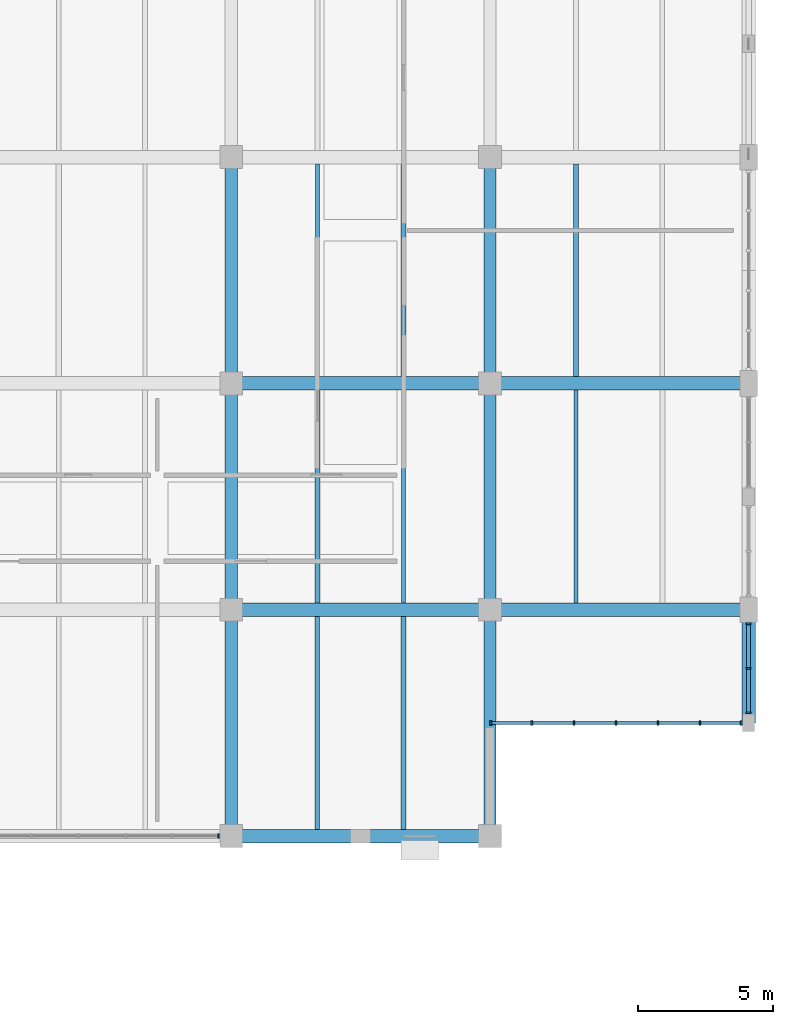
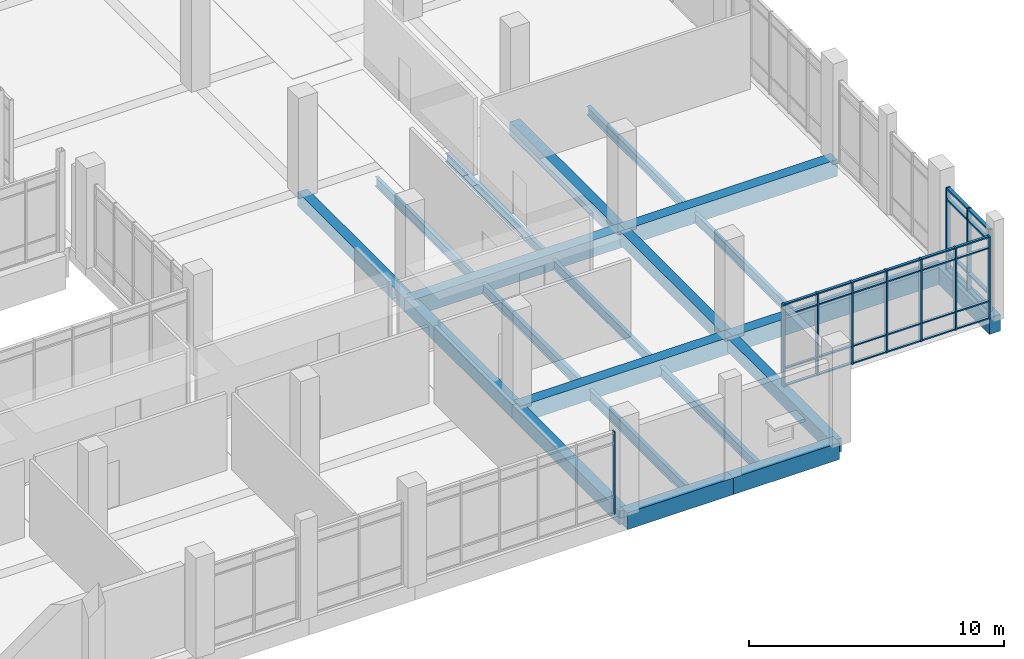
# One storey, part 62 of 152: 43 members, 21 beams, 3 elements without a shape of their own.
"""IFC4 building model written with IfcOpenShell, lengths in metres."""

from ifc_helpers import new_model, si_unit, direction, frame, origin, origin_2d, place, context, subcontext, project, spatial, rectangle, i_section, extrude, material, material_profile, profile_set, type_object, element, aggregate, save


model = new_model("IFC4")

# Units and contexts
model_context = context("Model", 3, precision=1e-05, world=origin(), true_north=direction((0.0, 1.0)))
body_context = subcontext(model_context, "Body", "Model", "MODEL_VIEW")
ifc_project = project(units=[si_unit("LENGTHUNIT", "METRE"), si_unit("AREAUNIT", "SQUARE_METRE"), si_unit("VOLUMEUNIT", "CUBIC_METRE"), si_unit("PLANEANGLEUNIT", "RADIAN"), si_unit("MASSUNIT", "GRAM", prefix="KILO")], contexts=[model_context])

# Site, building, storey
site_placement = place(None, origin())
site = spatial("IfcSite", under=ifc_project, at=site_placement, CompositionType="ELEMENT")
building_placement = place(site_placement, origin())
building = spatial("IfcBuilding", under=site, at=building_placement, Name="Oolite Switchyard Hospital", CompositionType="ELEMENT")
storey_placement = place(building_placement, frame((0.0, 0.0, 5.10009765625)))
storey = spatial("IfcBuildingStorey", under=building, at=storey_placement, Name="L01", CompositionType="ELEMENT", Elevation=5.10009765625)

# Beams
ifc_material_1 = material(Name="Concrete C40/50", Category="concrete")
ifc_material_profile_1 = material_profile(ifc_material_1, rectangle(XDim=0.449951171875, YDim=0.64990234375, at=origin_2d()), Name="RCB450X650")
ifc_profile_set_1 = profile_set([ifc_material_profile_1], Name="Concrete C40/50")
beam_type_1 = type_object("IfcBeamType", Name="BM-RC450X650", PredefinedType="BEAM", material=ifc_profile_set_1)
beam_1_placement = place(storey_placement, frame((192.0, 8.39990234375, -0.3251953125), z_axis=(0.0, 1.0, 0.0), x_axis=(-1.0, 0.0, 0.0)))
element("IfcBeam", 1, at=beam_1_placement, inside=storey, type_object=beam_type_1, Name="L01 Y-Girder 523", PredefinedType="BEAM", context=body_context, shape_type="SweptSolid", body=[
    extrude(rectangle(XDim=0.449951171875, YDim=0.64990234375, at=origin_2d()), origin(), (0.0, 0.0, 1.0), 8.400146484375),
])
beam_2_placement = place(storey_placement, frame((192.0, 16.800048828125, -0.3251953125), z_axis=(0.0, 1.0, 0.0), x_axis=(-1.0, 0.0, 0.0)))
element("IfcBeam", 2, at=beam_2_placement, inside=storey, type_object=beam_type_1, Name="L01 Y-Girder 524", PredefinedType="BEAM", context=body_context, shape_type="SweptSolid", body=[
    extrude(rectangle(XDim=0.449951171875, YDim=0.64990234375, at=origin_2d()), origin(), (0.0, 0.0, 1.0), 8.39990234375),
])
for number, where, z_axis, x_axis, name in (
    (3, (192.0, 25.199951171875, -0.3251953125), (0.0, 1.0, 0.0), (-1.0, 0.0, 0.0), "L01 Y-Girder 525"),
    (4, (201.60009765625, 8.39990234375, -0.3251953125), (0.0, 1.0, 0.0), (-1.0, 0.0, 0.0), "L01 Y-Girder 535"),
):
    element("IfcBeam", number, at=place(storey_placement, frame(where, z_axis=z_axis, x_axis=x_axis)), inside=storey, type_object=beam_type_1, Name=name, PredefinedType="BEAM", context=body_context, shape_type="SweptSolid", body=[
        extrude(rectangle(XDim=0.449951171875, YDim=0.64990234375, at=origin_2d()), origin(), (0.0, 0.0, 1.0), 8.400146484375),
    ])
beam_3_placement = place(storey_placement, frame((201.60009765625, 16.800048828125, -0.3251953125), z_axis=(0.0, 1.0, 0.0), x_axis=(-1.0, 0.0, 0.0)))
element("IfcBeam", 5, at=beam_3_placement, inside=storey, type_object=beam_type_1, Name="L01 Y-Girder 536", PredefinedType="BEAM", context=body_context, shape_type="SweptSolid", body=[
    extrude(rectangle(XDim=0.449951171875, YDim=0.64990234375, at=origin_2d()), origin(), (0.0, 0.0, 1.0), 8.39990234375),
])
beam_4_placement = place(storey_placement, frame((201.60009765625, 25.199951171875, -0.3251953125), z_axis=(0.0, 1.0, 0.0), x_axis=(-1.0, 0.0, 0.0)))
element("IfcBeam", 6, at=beam_4_placement, inside=storey, type_object=beam_type_1, Name="L01 Y-Girder 537", PredefinedType="BEAM", context=body_context, shape_type="SweptSolid", body=[
    extrude(rectangle(XDim=0.449951171875, YDim=0.64990234375, at=origin_2d()), origin(), (0.0, 0.0, 1.0), 8.400146484375),
])
ifc_material_profile_2 = material_profile(ifc_material_1, rectangle(XDim=0.5, YDim=0.800048828125, at=origin_2d()), Name="RCB500X800")
ifc_profile_set_2 = profile_set([ifc_material_profile_2], Name="Concrete C40/50")
beam_type_2 = type_object("IfcBeamType", Name="BM-RC500X800", PredefinedType="BEAM", material=ifc_profile_set_2)
for number, where, z_axis, x_axis, name in (
    (7, (192.0, 8.39990234375, -0.400146484375), (1.0, 0.0, 0.0), (0.0, 1.0, 0.0), "L01 X-Girder 24"),
    (8, (196.800048828125, 8.39990234375, -0.400146484375), (1.0, 0.0, 0.0), (0.0, 1.0, 0.0), "L01 X-Girder 25"),
):
    element("IfcBeam", number, at=place(storey_placement, frame(where, z_axis=z_axis, x_axis=x_axis)), inside=storey, type_object=beam_type_2, Name=name, PredefinedType="BEAM", context=body_context, shape_type="SweptSolid", body=[
        extrude(rectangle(XDim=0.5, YDim=0.800048828125, at=origin_2d()), origin(), (0.0, 0.0, 1.0), 4.800048828125),
    ])
beam_5_placement = place(storey_placement, frame((192.0, 16.800048828125, -0.400146484375), z_axis=(1.0, 0.0, 0.0), x_axis=(0.0, 1.0, 0.0)))
element("IfcBeam", 9, at=beam_5_placement, inside=storey, type_object=beam_type_2, Name="L01 X-Girder 39", PredefinedType="BEAM", context=body_context, shape_type="SweptSolid", body=[
    extrude(rectangle(XDim=0.5, YDim=0.800048828125, at=origin_2d()), origin(), (0.0, 0.0, 1.0), 9.60009765625),
])
beam_6_placement = place(storey_placement, frame((201.60009765625, 16.800048828125, -0.400146484375), z_axis=(1.0, 0.0, 0.0), x_axis=(0.0, 1.0, 0.0)))
element("IfcBeam", 10, at=beam_6_placement, inside=storey, type_object=beam_type_2, Name="L01 X-Girder 40", PredefinedType="BEAM", context=body_context, shape_type="SweptSolid", body=[
    extrude(rectangle(XDim=0.5, YDim=0.800048828125, at=origin_2d()), origin(), (0.0, 0.0, 1.0), 9.599853515625),
])
beam_7_placement = place(storey_placement, frame((192.0, 25.199951171875, -0.400146484375), z_axis=(1.0, 0.0, 0.0), x_axis=(0.0, 1.0, 0.0)))
element("IfcBeam", 11, at=beam_7_placement, inside=storey, type_object=beam_type_2, Name="L01 X-Girder 60", PredefinedType="BEAM", context=body_context, shape_type="SweptSolid", body=[
    extrude(rectangle(XDim=0.5, YDim=0.800048828125, at=origin_2d()), origin(), (0.0, 0.0, 1.0), 9.60009765625),
])
beam_8_placement = place(storey_placement, frame((201.60009765625, 25.199951171875, -0.400146484375), z_axis=(1.0, 0.0, 0.0), x_axis=(0.0, 1.0, 0.0)))
element("IfcBeam", 12, at=beam_8_placement, inside=storey, type_object=beam_type_2, Name="L01 X-Girder 61", PredefinedType="BEAM", context=body_context, shape_type="SweptSolid", body=[
    extrude(rectangle(XDim=0.5, YDim=0.800048828125, at=origin_2d()), origin(), (0.0, 0.0, 1.0), 9.599853515625),
])
beam_9_placement = place(storey_placement, frame((211.199951171875, 12.60009765625, -0.400146484375), z_axis=(0.0, 1.0, 0.0), x_axis=(-1.0, 0.0, 0.0)))
element("IfcBeam", 13, at=beam_9_placement, inside=storey, type_object=beam_type_2, Name="L01 Y-Girder 547", PredefinedType="BEAM", context=body_context, shape_type="SweptSolid", body=[
    extrude(rectangle(XDim=0.5, YDim=0.800048828125, at=origin_2d()), origin(), (0.0, 0.0, 1.0), 4.199951171875),
])
ifc_material_2 = material(Name="Steel ASTM A992 Grade 50", Category="steel")
ifc_material_profile_3 = material_profile(ifc_material_2, i_section(OverallWidth=0.179931640625, OverallDepth=0.4130859375, WebThickness=0.010009765625, FlangeThickness=0.01611328125, at=origin_2d()), Name="W16X50")
ifc_profile_set_3 = profile_set([ifc_material_profile_3], Name="Steel ASTM A992 Grade 50")
beam_type_3 = type_object("IfcBeamType", Name="BM-W16X50", PredefinedType="JOIST", material=ifc_profile_set_3)
for number, where, z_axis, x_axis, name in (
    (14, (198.39990234375, 25.449951171875, -0.482177734375), (0.0, 1.0, 0.0), (-1.0, 0.0, 0.0), "L01 Secondary Steel Joist 955"),
    (15, (204.800048828125, 25.449951171875, -0.482177734375), (0.0, 1.0, 0.0), (-1.0, 0.0, 0.0), "L01 Secondary Steel Joist 974"),
):
    element("IfcBeam", number, at=place(storey_placement, frame(where, z_axis=z_axis, x_axis=x_axis)), inside=storey, type_object=beam_type_3, Name=name, PredefinedType="JOIST", context=body_context, shape_type="SweptSolid", body=[
        extrude(i_section(OverallWidth=0.179931640625, OverallDepth=0.4130859375, WebThickness=0.010009765625, FlangeThickness=0.01611328125, at=origin_2d()), origin(), (0.0, 0.0, 1.0), 7.900146484375),
    ])
ifc_material_profile_4 = material_profile(ifc_material_2, i_section(OverallWidth=0.153076171875, OverallDepth=0.455078125, WebThickness=0.008056640625, FlangeThickness=0.012939453125, at=origin_2d()), Name="W18X40")
ifc_profile_set_4 = profile_set([ifc_material_profile_4], Name="Steel ASTM A992 Grade 50")
beam_type_4 = type_object("IfcBeamType", Name="BM-W18X40", PredefinedType="JOIST", material=ifc_profile_set_4)
beam_10_placement = place(storey_placement, frame((198.39990234375, 17.050048828125, -0.503173828125), z_axis=(0.0, 1.0, 0.0), x_axis=(-1.0, 0.0, 0.0)))
element("IfcBeam", 16, at=beam_10_placement, inside=storey, type_object=beam_type_4, Name="L01 Secondary Steel Joist 953", PredefinedType="JOIST", context=body_context, shape_type="SweptSolid", body=[
    extrude(i_section(OverallWidth=0.153076171875, OverallDepth=0.455078125, WebThickness=0.008056640625, FlangeThickness=0.012939453125, at=origin_2d()), origin(), (0.0, 0.0, 1.0), 7.89990234375),
])
beam_11_placement = place(storey_placement, frame((195.199951171875, 25.449951171875, -0.503173828125), z_axis=(0.0, 1.0, 0.0), x_axis=(-1.0, 0.0, 0.0)))
element("IfcBeam", 17, at=beam_11_placement, inside=storey, type_object=beam_type_4, Name="L01 Secondary Steel Joist 954", PredefinedType="JOIST", context=body_context, shape_type="SweptSolid", body=[
    extrude(i_section(OverallWidth=0.153076171875, OverallDepth=0.455078125, WebThickness=0.008056640625, FlangeThickness=0.012939453125, at=origin_2d()), origin(), (0.0, 0.0, 1.0), 7.900146484375),
])
beam_12_placement = place(storey_placement, frame((204.800048828125, 17.050048828125, -0.503173828125), z_axis=(0.0, 1.0, 0.0), x_axis=(-1.0, 0.0, 0.0)))
element("IfcBeam", 18, at=beam_12_placement, inside=storey, type_object=beam_type_4, Name="L01 Secondary Steel Joist 972", PredefinedType="JOIST", context=body_context, shape_type="SweptSolid", body=[
    extrude(i_section(OverallWidth=0.153076171875, OverallDepth=0.455078125, WebThickness=0.008056640625, FlangeThickness=0.012939453125, at=origin_2d()), origin(), (0.0, 0.0, 1.0), 7.89990234375),
])
ifc_material_profile_5 = material_profile(ifc_material_2, i_section(OverallWidth=0.19091796875, OverallDepth=0.4599609375, WebThickness=0.010009765625, FlangeThickness=0.01611328125, at=origin_2d()), Name="W18X55")
ifc_profile_set_5 = profile_set([ifc_material_profile_5], Name="Steel ASTM A992 Grade 50")
beam_type_5 = type_object("IfcBeamType", Name="BM-W18X55", PredefinedType="JOIST", material=ifc_profile_set_5)
beam_13_placement = place(storey_placement, frame((198.39990234375, 8.64990234375, -0.505126953125), z_axis=(0.0, 1.0, 0.0), x_axis=(-1.0, 0.0, 0.0)))
element("IfcBeam", 19, at=beam_13_placement, inside=storey, type_object=beam_type_5, Name="L01 Secondary Steel Joist 951", PredefinedType="JOIST", context=body_context, shape_type="SweptSolid", body=[
    extrude(i_section(OverallWidth=0.19091796875, OverallDepth=0.4599609375, WebThickness=0.010009765625, FlangeThickness=0.01611328125, at=origin_2d()), origin(), (0.0, 0.0, 1.0), 7.900146484375),
])
beam_14_placement = place(storey_placement, frame((195.199951171875, 17.050048828125, -0.505126953125), z_axis=(0.0, 1.0, 0.0), x_axis=(-1.0, 0.0, 0.0)))
element("IfcBeam", 20, at=beam_14_placement, inside=storey, type_object=beam_type_5, Name="L01 Secondary Steel Joist 952", PredefinedType="JOIST", context=body_context, shape_type="SweptSolid", body=[
    extrude(i_section(OverallWidth=0.19091796875, OverallDepth=0.4599609375, WebThickness=0.010009765625, FlangeThickness=0.01611328125, at=origin_2d()), origin(), (0.0, 0.0, 1.0), 7.89990234375),
])
ifc_material_profile_6 = material_profile(ifc_material_2, i_section(OverallWidth=0.166015625, OverallDepth=0.529052734375, WebThickness=0.010009765625, FlangeThickness=0.013916015625, at=origin_2d()), Name="W21X50")
ifc_profile_set_6 = profile_set([ifc_material_profile_6], Name="Steel ASTM A992 Grade 50")
beam_type_6 = type_object("IfcBeamType", Name="BM-W21X50", PredefinedType="JOIST", material=ifc_profile_set_6)
beam_15_placement = place(storey_placement, frame((195.199951171875, 8.64990234375, -0.5400390625), z_axis=(0.0, 1.0, 0.0), x_axis=(-1.0, 0.0, 0.0)))
element("IfcBeam", 21, at=beam_15_placement, inside=storey, type_object=beam_type_6, Name="L01 Secondary Steel Joist 950", PredefinedType="JOIST", context=body_context, shape_type="SweptSolid", body=[
    extrude(i_section(OverallWidth=0.166015625, OverallDepth=0.529052734375, WebThickness=0.010009765625, FlangeThickness=0.013916015625, at=origin_2d()), origin(), (0.0, 0.0, 1.0), 7.900146484375),
])

# Curtain wall, member
ifc_material_3 = material(Name="Thermally broken aluminum frame with laminated impact glazing", Category="aluminium")
curtain_wall_type_1 = type_object("IfcCurtainWallType", Name="CW-UNIT-96X48", PredefinedType="USERDEFINED", material=ifc_material_3)
curtain_wall_1_placement = place(storey_placement, origin())
curtain_wall_1 = element("IfcCurtainWall", 22, at=curtain_wall_1_placement, inside=storey, type_object=curtain_wall_type_1, Name="L01 Unitised Curtain Wall 101", ObjectType="UNITISED", PredefinedType="USERDEFINED")
ifc_material_4 = material(Name="Aluminium 6063-T6", Category="aluminium")
ifc_material_profile_7 = material_profile(ifc_material_4, rectangle(XDim=0.159912109375, YDim=0.06005859375, at=origin_2d()), Name="CWM60X160")
ifc_profile_set_7 = profile_set([ifc_material_profile_7], Name="Aluminium 6063-T6")
member_type_1 = type_object("IfcMemberType", Name="CW-MUL-180", PredefinedType="MULLION", material=ifc_profile_set_7)
member_1_placement = place(storey_placement, frame((191.530029296875, 8.39990234375, 0.0), z_axis=(0.0, 0.0, 1.0), x_axis=(0.0, -1.0, 0.0)))
member_1 = element("IfcMember", 23, at=member_1_placement, type_object=member_type_1, Name="CW-02 mullion 1", PredefinedType="MULLION", context=body_context, shape_type="SweptSolid", body=[
    extrude(rectangle(XDim=0.159912109375, YDim=0.06005859375, at=origin_2d()), origin(), (0.0, 0.0, 1.0), 3.93994140625),
])
aggregate(curtain_wall_1, [member_1])

# Curtain wall, members
curtain_wall_2_placement = place(storey_placement, origin())
curtain_wall_2 = element("IfcCurtainWall", 24, at=curtain_wall_2_placement, inside=storey, type_object=curtain_wall_type_1, Name="L01 Unitised Curtain Wall 102", ObjectType="UNITISED", PredefinedType="USERDEFINED")
ifc_material_profile_8 = material_profile(ifc_material_4, rectangle(XDim=0.179931640625, YDim=0.070068359375, at=origin_2d()), Name="CWM70X180")
ifc_profile_set_8 = profile_set([ifc_material_profile_8], Name="Aluminium 6063-T6")
member_type_2 = type_object("IfcMemberType", Name="CW-MUL-220", PredefinedType="MULLION", material=ifc_profile_set_8)
member_2_placement = place(storey_placement, frame((210.925048828125, 12.60009765625, 0.0), z_axis=(0.0, 0.0, 1.0), x_axis=(0.0, -1.0, 0.0)))
member_2 = element("IfcMember", 25, at=member_2_placement, type_object=member_type_2, Name="CW-02 mullion 1", PredefinedType="MULLION", context=body_context, shape_type="SweptSolid", body=[
    extrude(rectangle(XDim=0.179931640625, YDim=0.070068359375, at=origin_2d()), origin(), (0.0, 0.0, 1.0), 3.93994140625),
])
member_3_placement = place(storey_placement, frame((209.39990234375, 12.60009765625, 0.0), z_axis=(0.0, 0.0, 1.0), x_axis=(0.0, -1.0, 0.0)))
member_3 = element("IfcMember", 26, at=member_3_placement, type_object=member_type_2, Name="CW-02 mullion 2", PredefinedType="MULLION", context=body_context, shape_type="SweptSolid", body=[
    extrude(rectangle(XDim=0.179931640625, YDim=0.070068359375, at=origin_2d()), origin(), (0.0, 0.0, 1.0), 3.93994140625),
])
member_4_placement = place(storey_placement, frame((207.840087890625, 12.60009765625, 0.0), z_axis=(0.0, 0.0, 1.0), x_axis=(0.0, -1.0, 0.0)))
member_4 = element("IfcMember", 27, at=member_4_placement, type_object=member_type_2, Name="CW-02 mullion 3", PredefinedType="MULLION", context=body_context, shape_type="SweptSolid", body=[
    extrude(rectangle(XDim=0.179931640625, YDim=0.070068359375, at=origin_2d()), origin(), (0.0, 0.0, 1.0), 3.93994140625),
])
member_5_placement = place(storey_placement, frame((206.280029296875, 12.60009765625, 0.0), z_axis=(0.0, 0.0, 1.0), x_axis=(0.0, -1.0, 0.0)))
member_5 = element("IfcMember", 28, at=member_5_placement, type_object=member_type_2, Name="CW-02 mullion 4", PredefinedType="MULLION", context=body_context, shape_type="SweptSolid", body=[
    extrude(rectangle(XDim=0.179931640625, YDim=0.070068359375, at=origin_2d()), origin(), (0.0, 0.0, 1.0), 3.93994140625),
])
member_6_placement = place(storey_placement, frame((204.719970703125, 12.60009765625, 0.0), z_axis=(0.0, 0.0, 1.0), x_axis=(0.0, -1.0, 0.0)))
member_6 = element("IfcMember", 29, at=member_6_placement, type_object=member_type_2, Name="CW-02 mullion 5", PredefinedType="MULLION", context=body_context, shape_type="SweptSolid", body=[
    extrude(rectangle(XDim=0.179931640625, YDim=0.070068359375, at=origin_2d()), origin(), (0.0, 0.0, 1.0), 3.93994140625),
])
member_7_placement = place(storey_placement, frame((203.159912109375, 12.60009765625, 0.0), z_axis=(0.0, 0.0, 1.0), x_axis=(0.0, -1.0, 0.0)))
member_7 = element("IfcMember", 30, at=member_7_placement, type_object=member_type_2, Name="CW-02 mullion 6", PredefinedType="MULLION", context=body_context, shape_type="SweptSolid", body=[
    extrude(rectangle(XDim=0.179931640625, YDim=0.070068359375, at=origin_2d()), origin(), (0.0, 0.0, 1.0), 3.93994140625),
])
member_8_placement = place(storey_placement, frame((201.635009765625, 12.60009765625, 0.0), z_axis=(0.0, 0.0, 1.0), x_axis=(0.0, -1.0, 0.0)))
member_8 = element("IfcMember", 31, at=member_8_placement, type_object=member_type_2, Name="CW-02 mullion 7", PredefinedType="MULLION", context=body_context, shape_type="SweptSolid", body=[
    extrude(rectangle(XDim=0.179931640625, YDim=0.070068359375, at=origin_2d()), origin(), (0.0, 0.0, 1.0), 3.93994140625),
])

curtain_wall_type_2 = type_object("IfcCurtainWallType", Name="CW-UNIT-84X48", PredefinedType="USERDEFINED", material=ifc_material_3)
curtain_wall_3_placement = place(storey_placement, origin())
curtain_wall_3 = element("IfcCurtainWall", 32, at=curtain_wall_3_placement, inside=storey, type_object=curtain_wall_type_2, Name="L01 Unitised Curtain Wall 201", ObjectType="UNITISED", PredefinedType="USERDEFINED")
member_9_placement = place(storey_placement, frame((211.199951171875, 16.27490234375, 0.0), z_axis=(0.0, 0.0, 1.0), x_axis=(1.0, 0.0, 0.0)))
member_9 = element("IfcMember", 33, at=member_9_placement, type_object=member_type_2, Name="CW-07 mullion 1", PredefinedType="MULLION", context=body_context, shape_type="SweptSolid", body=[
    extrude(rectangle(XDim=0.179931640625, YDim=0.070068359375, at=origin_2d()), origin(), (0.0, 0.0, 1.0), 3.93994140625),
])
member_10_placement = place(storey_placement, frame((211.199951171875, 14.625, 0.0), z_axis=(0.0, 0.0, 1.0), x_axis=(1.0, 0.0, 0.0)))
member_10 = element("IfcMember", 34, at=member_10_placement, type_object=member_type_2, Name="CW-07 mullion 2", PredefinedType="MULLION", context=body_context, shape_type="SweptSolid", body=[
    extrude(rectangle(XDim=0.179931640625, YDim=0.070068359375, at=origin_2d()), origin(), (0.0, 0.0, 1.0), 3.93994140625),
])
member_11_placement = place(storey_placement, frame((211.199951171875, 12.97509765625, 0.0), z_axis=(0.0, 0.0, 1.0), x_axis=(1.0, 0.0, 0.0)))
member_11 = element("IfcMember", 35, at=member_11_placement, type_object=member_type_2, Name="CW-07 mullion 3", PredefinedType="MULLION", context=body_context, shape_type="SweptSolid", body=[
    extrude(rectangle(XDim=0.179931640625, YDim=0.070068359375, at=origin_2d()), origin(), (0.0, 0.0, 1.0), 3.93994140625),
])

# Member
ifc_material_profile_9 = material_profile(ifc_material_4, rectangle(XDim=0.1201171875, YDim=0.06005859375, at=origin_2d()), Name="CWT60X120")
ifc_profile_set_9 = profile_set([ifc_material_profile_9], Name="Aluminium 6063-T6")
member_type_3 = type_object("IfcMemberType", Name="CW-TRN-150", PredefinedType="USERDEFINED", material=ifc_profile_set_9)
member_12_placement = place(storey_placement, frame((210.889892578125, 12.60009765625, 0.02978515625), z_axis=(-1.0, 0.0, 0.0), x_axis=(0.0, -1.0, 0.0)))
member_12 = element("IfcMember", 36, at=member_12_placement, type_object=member_type_3, Name="CW-02 transom 1.1", ObjectType="TRANSOM", PredefinedType="USERDEFINED", context=body_context, shape_type="SweptSolid", body=[
    extrude(rectangle(XDim=0.1201171875, YDim=0.06005859375, at=origin_2d()), origin(), (0.0, 0.0, 1.0), 1.454833984375),
])

member_13_placement = place(storey_placement, frame((210.889892578125, 12.60009765625, 0.849853515625), z_axis=(-1.0, 0.0, 0.0), x_axis=(0.0, -1.0, 0.0)))
member_13 = element("IfcMember", 37, at=member_13_placement, type_object=member_type_3, Name="CW-02 transom 1.2", ObjectType="TRANSOM", PredefinedType="USERDEFINED", context=body_context, shape_type="SweptSolid", body=[
    extrude(rectangle(XDim=0.1201171875, YDim=0.06005859375, at=origin_2d()), origin(), (0.0, 0.0, 1.0), 1.454833984375),
])

member_14_placement = place(storey_placement, frame((210.889892578125, 12.60009765625, 3.389892578125), z_axis=(-1.0, 0.0, 0.0), x_axis=(0.0, -1.0, 0.0)))
member_14 = element("IfcMember", 38, at=member_14_placement, type_object=member_type_3, Name="CW-02 transom 1.3", ObjectType="TRANSOM", PredefinedType="USERDEFINED", context=body_context, shape_type="SweptSolid", body=[
    extrude(rectangle(XDim=0.1201171875, YDim=0.06005859375, at=origin_2d()), origin(), (0.0, 0.0, 1.0), 1.454833984375),
])

member_15_placement = place(storey_placement, frame((210.889892578125, 12.60009765625, 3.909912109375), z_axis=(-1.0, 0.0, 0.0), x_axis=(0.0, -1.0, 0.0)))
member_15 = element("IfcMember", 39, at=member_15_placement, type_object=member_type_3, Name="CW-02 transom 1.4", ObjectType="TRANSOM", PredefinedType="USERDEFINED", context=body_context, shape_type="SweptSolid", body=[
    extrude(rectangle(XDim=0.1201171875, YDim=0.06005859375, at=origin_2d()), origin(), (0.0, 0.0, 1.0), 1.454833984375),
])

member_16_placement = place(storey_placement, frame((209.364990234375, 12.60009765625, 0.02978515625), z_axis=(-1.0, 0.0, 0.0), x_axis=(0.0, -1.0, 0.0)))
member_16 = element("IfcMember", 40, at=member_16_placement, type_object=member_type_3, Name="CW-02 transom 2.1", ObjectType="TRANSOM", PredefinedType="USERDEFINED", context=body_context, shape_type="SweptSolid", body=[
    extrude(rectangle(XDim=0.1201171875, YDim=0.06005859375, at=origin_2d()), origin(), (0.0, 0.0, 1.0), 1.489990234375),
])

member_17_placement = place(storey_placement, frame((209.364990234375, 12.60009765625, 0.849853515625), z_axis=(-1.0, 0.0, 0.0), x_axis=(0.0, -1.0, 0.0)))
member_17 = element("IfcMember", 41, at=member_17_placement, type_object=member_type_3, Name="CW-02 transom 2.2", ObjectType="TRANSOM", PredefinedType="USERDEFINED", context=body_context, shape_type="SweptSolid", body=[
    extrude(rectangle(XDim=0.1201171875, YDim=0.06005859375, at=origin_2d()), origin(), (0.0, 0.0, 1.0), 1.489990234375),
])

member_18_placement = place(storey_placement, frame((209.364990234375, 12.60009765625, 3.389892578125), z_axis=(-1.0, 0.0, 0.0), x_axis=(0.0, -1.0, 0.0)))
member_18 = element("IfcMember", 42, at=member_18_placement, type_object=member_type_3, Name="CW-02 transom 2.3", ObjectType="TRANSOM", PredefinedType="USERDEFINED", context=body_context, shape_type="SweptSolid", body=[
    extrude(rectangle(XDim=0.1201171875, YDim=0.06005859375, at=origin_2d()), origin(), (0.0, 0.0, 1.0), 1.489990234375),
])

member_19_placement = place(storey_placement, frame((209.364990234375, 12.60009765625, 3.909912109375), z_axis=(-1.0, 0.0, 0.0), x_axis=(0.0, -1.0, 0.0)))
member_19 = element("IfcMember", 43, at=member_19_placement, type_object=member_type_3, Name="CW-02 transom 2.4", ObjectType="TRANSOM", PredefinedType="USERDEFINED", context=body_context, shape_type="SweptSolid", body=[
    extrude(rectangle(XDim=0.1201171875, YDim=0.06005859375, at=origin_2d()), origin(), (0.0, 0.0, 1.0), 1.489990234375),
])

member_20_placement = place(storey_placement, frame((207.804931640625, 12.60009765625, 0.02978515625), z_axis=(-1.0, 0.0, 0.0), x_axis=(0.0, -1.0, 0.0)))
member_20 = element("IfcMember", 44, at=member_20_placement, type_object=member_type_3, Name="CW-02 transom 3.1", ObjectType="TRANSOM", PredefinedType="USERDEFINED", context=body_context, shape_type="SweptSolid", body=[
    extrude(rectangle(XDim=0.1201171875, YDim=0.06005859375, at=origin_2d()), origin(), (0.0, 0.0, 1.0), 1.489990234375),
])

member_21_placement = place(storey_placement, frame((207.804931640625, 12.60009765625, 0.849853515625), z_axis=(-1.0, 0.0, 0.0), x_axis=(0.0, -1.0, 0.0)))
member_21 = element("IfcMember", 45, at=member_21_placement, type_object=member_type_3, Name="CW-02 transom 3.2", ObjectType="TRANSOM", PredefinedType="USERDEFINED", context=body_context, shape_type="SweptSolid", body=[
    extrude(rectangle(XDim=0.1201171875, YDim=0.06005859375, at=origin_2d()), origin(), (0.0, 0.0, 1.0), 1.489990234375),
])

member_22_placement = place(storey_placement, frame((207.804931640625, 12.60009765625, 3.389892578125), z_axis=(-1.0, 0.0, 0.0), x_axis=(0.0, -1.0, 0.0)))
member_22 = element("IfcMember", 46, at=member_22_placement, type_object=member_type_3, Name="CW-02 transom 3.3", ObjectType="TRANSOM", PredefinedType="USERDEFINED", context=body_context, shape_type="SweptSolid", body=[
    extrude(rectangle(XDim=0.1201171875, YDim=0.06005859375, at=origin_2d()), origin(), (0.0, 0.0, 1.0), 1.489990234375),
])

member_23_placement = place(storey_placement, frame((207.804931640625, 12.60009765625, 3.909912109375), z_axis=(-1.0, 0.0, 0.0), x_axis=(0.0, -1.0, 0.0)))
member_23 = element("IfcMember", 47, at=member_23_placement, type_object=member_type_3, Name="CW-02 transom 3.4", ObjectType="TRANSOM", PredefinedType="USERDEFINED", context=body_context, shape_type="SweptSolid", body=[
    extrude(rectangle(XDim=0.1201171875, YDim=0.06005859375, at=origin_2d()), origin(), (0.0, 0.0, 1.0), 1.489990234375),
])

member_24_placement = place(storey_placement, frame((206.2451171875, 12.60009765625, 0.02978515625), z_axis=(-1.0, 0.0, 0.0), x_axis=(0.0, -1.0, 0.0)))
member_24 = element("IfcMember", 48, at=member_24_placement, type_object=member_type_3, Name="CW-02 transom 4.1", ObjectType="TRANSOM", PredefinedType="USERDEFINED", context=body_context, shape_type="SweptSolid", body=[
    extrude(rectangle(XDim=0.1201171875, YDim=0.06005859375, at=origin_2d()), origin(), (0.0, 0.0, 1.0), 1.490234375),
])

member_25_placement = place(storey_placement, frame((206.2451171875, 12.60009765625, 0.849853515625), z_axis=(-1.0, 0.0, 0.0), x_axis=(0.0, -1.0, 0.0)))
member_25 = element("IfcMember", 49, at=member_25_placement, type_object=member_type_3, Name="CW-02 transom 4.2", ObjectType="TRANSOM", PredefinedType="USERDEFINED", context=body_context, shape_type="SweptSolid", body=[
    extrude(rectangle(XDim=0.1201171875, YDim=0.06005859375, at=origin_2d()), origin(), (0.0, 0.0, 1.0), 1.490234375),
])

member_26_placement = place(storey_placement, frame((206.2451171875, 12.60009765625, 3.389892578125), z_axis=(-1.0, 0.0, 0.0), x_axis=(0.0, -1.0, 0.0)))
member_26 = element("IfcMember", 50, at=member_26_placement, type_object=member_type_3, Name="CW-02 transom 4.3", ObjectType="TRANSOM", PredefinedType="USERDEFINED", context=body_context, shape_type="SweptSolid", body=[
    extrude(rectangle(XDim=0.1201171875, YDim=0.06005859375, at=origin_2d()), origin(), (0.0, 0.0, 1.0), 1.490234375),
])

member_27_placement = place(storey_placement, frame((206.2451171875, 12.60009765625, 3.909912109375), z_axis=(-1.0, 0.0, 0.0), x_axis=(0.0, -1.0, 0.0)))
member_27 = element("IfcMember", 51, at=member_27_placement, type_object=member_type_3, Name="CW-02 transom 4.4", ObjectType="TRANSOM", PredefinedType="USERDEFINED", context=body_context, shape_type="SweptSolid", body=[
    extrude(rectangle(XDim=0.1201171875, YDim=0.06005859375, at=origin_2d()), origin(), (0.0, 0.0, 1.0), 1.490234375),
])

member_28_placement = place(storey_placement, frame((204.68505859375, 12.60009765625, 0.02978515625), z_axis=(-1.0, 0.0, 0.0), x_axis=(0.0, -1.0, 0.0)))
member_28 = element("IfcMember", 52, at=member_28_placement, type_object=member_type_3, Name="CW-02 transom 5.1", ObjectType="TRANSOM", PredefinedType="USERDEFINED", context=body_context, shape_type="SweptSolid", body=[
    extrude(rectangle(XDim=0.1201171875, YDim=0.06005859375, at=origin_2d()), origin(), (0.0, 0.0, 1.0), 1.489990234375),
])

member_29_placement = place(storey_placement, frame((204.68505859375, 12.60009765625, 0.849853515625), z_axis=(-1.0, 0.0, 0.0), x_axis=(0.0, -1.0, 0.0)))
member_29 = element("IfcMember", 53, at=member_29_placement, type_object=member_type_3, Name="CW-02 transom 5.2", ObjectType="TRANSOM", PredefinedType="USERDEFINED", context=body_context, shape_type="SweptSolid", body=[
    extrude(rectangle(XDim=0.1201171875, YDim=0.06005859375, at=origin_2d()), origin(), (0.0, 0.0, 1.0), 1.489990234375),
])

member_30_placement = place(storey_placement, frame((204.68505859375, 12.60009765625, 3.389892578125), z_axis=(-1.0, 0.0, 0.0), x_axis=(0.0, -1.0, 0.0)))
member_30 = element("IfcMember", 54, at=member_30_placement, type_object=member_type_3, Name="CW-02 transom 5.3", ObjectType="TRANSOM", PredefinedType="USERDEFINED", context=body_context, shape_type="SweptSolid", body=[
    extrude(rectangle(XDim=0.1201171875, YDim=0.06005859375, at=origin_2d()), origin(), (0.0, 0.0, 1.0), 1.489990234375),
])

member_31_placement = place(storey_placement, frame((204.68505859375, 12.60009765625, 3.909912109375), z_axis=(-1.0, 0.0, 0.0), x_axis=(0.0, -1.0, 0.0)))
member_31 = element("IfcMember", 55, at=member_31_placement, type_object=member_type_3, Name="CW-02 transom 5.4", ObjectType="TRANSOM", PredefinedType="USERDEFINED", context=body_context, shape_type="SweptSolid", body=[
    extrude(rectangle(XDim=0.1201171875, YDim=0.06005859375, at=origin_2d()), origin(), (0.0, 0.0, 1.0), 1.489990234375),
])

member_32_placement = place(storey_placement, frame((203.125, 12.60009765625, 0.02978515625), z_axis=(-1.0, 0.0, 0.0), x_axis=(0.0, -1.0, 0.0)))
member_32 = element("IfcMember", 56, at=member_32_placement, type_object=member_type_3, Name="CW-02 transom 6.1", ObjectType="TRANSOM", PredefinedType="USERDEFINED", context=body_context, shape_type="SweptSolid", body=[
    extrude(rectangle(XDim=0.1201171875, YDim=0.06005859375, at=origin_2d()), origin(), (0.0, 0.0, 1.0), 1.455078125),
])

member_33_placement = place(storey_placement, frame((203.125, 12.60009765625, 0.849853515625), z_axis=(-1.0, 0.0, 0.0), x_axis=(0.0, -1.0, 0.0)))
member_33 = element("IfcMember", 57, at=member_33_placement, type_object=member_type_3, Name="CW-02 transom 6.2", ObjectType="TRANSOM", PredefinedType="USERDEFINED", context=body_context, shape_type="SweptSolid", body=[
    extrude(rectangle(XDim=0.1201171875, YDim=0.06005859375, at=origin_2d()), origin(), (0.0, 0.0, 1.0), 1.455078125),
])

member_34_placement = place(storey_placement, frame((203.125, 12.60009765625, 3.389892578125), z_axis=(-1.0, 0.0, 0.0), x_axis=(0.0, -1.0, 0.0)))
member_34 = element("IfcMember", 58, at=member_34_placement, type_object=member_type_3, Name="CW-02 transom 6.3", ObjectType="TRANSOM", PredefinedType="USERDEFINED", context=body_context, shape_type="SweptSolid", body=[
    extrude(rectangle(XDim=0.1201171875, YDim=0.06005859375, at=origin_2d()), origin(), (0.0, 0.0, 1.0), 1.455078125),
])

member_35_placement = place(storey_placement, frame((203.125, 12.60009765625, 3.909912109375), z_axis=(-1.0, 0.0, 0.0), x_axis=(0.0, -1.0, 0.0)))
member_35 = element("IfcMember", 59, at=member_35_placement, type_object=member_type_3, Name="CW-02 transom 6.4", ObjectType="TRANSOM", PredefinedType="USERDEFINED", context=body_context, shape_type="SweptSolid", body=[
    extrude(rectangle(XDim=0.1201171875, YDim=0.06005859375, at=origin_2d()), origin(), (0.0, 0.0, 1.0), 1.455078125),
])

aggregate(curtain_wall_2, [member_2, member_3, member_4, member_5, member_6, member_7, member_8, member_12, member_13, member_14, member_15, member_16, member_17, member_18, member_19, member_20, member_21, member_22, member_23, member_24, member_25, member_26, member_27, member_28, member_29, member_30, member_31, member_32, member_33, member_34, member_35])

ifc_material_profile_10 = material_profile(ifc_material_4, rectangle(XDim=0.159912109375, YDim=0.074951171875, at=origin_2d()), Name="CWT75X160")
ifc_profile_set_10 = profile_set([ifc_material_profile_10], Name="Aluminium 6063-T6")
member_type_4 = type_object("IfcMemberType", Name="CW-TRN-180", PredefinedType="USERDEFINED", material=ifc_profile_set_10)
member_36_placement = place(storey_placement, frame((211.199951171875, 16.239990234375, 0.037353515625), z_axis=(0.0, -1.0, 0.0), x_axis=(1.0, 0.0, 0.0)))
member_36 = element("IfcMember", 60, at=member_36_placement, type_object=member_type_4, Name="CW-07 transom 1.1", ObjectType="TRANSOM", PredefinedType="USERDEFINED", context=body_context, shape_type="SweptSolid", body=[
    extrude(rectangle(XDim=0.159912109375, YDim=0.074951171875, at=origin_2d()), origin(), (0.0, 0.0, 1.0), 1.580078125),
])

member_37_placement = place(storey_placement, frame((211.199951171875, 16.239990234375, 0.849853515625), z_axis=(0.0, -1.0, 0.0), x_axis=(1.0, 0.0, 0.0)))
member_37 = element("IfcMember", 61, at=member_37_placement, type_object=member_type_4, Name="CW-07 transom 1.2", ObjectType="TRANSOM", PredefinedType="USERDEFINED", context=body_context, shape_type="SweptSolid", body=[
    extrude(rectangle(XDim=0.159912109375, YDim=0.074951171875, at=origin_2d()), origin(), (0.0, 0.0, 1.0), 1.580078125),
])

member_38_placement = place(storey_placement, frame((211.199951171875, 16.239990234375, 3.389892578125), z_axis=(0.0, -1.0, 0.0), x_axis=(1.0, 0.0, 0.0)))
member_38 = element("IfcMember", 62, at=member_38_placement, type_object=member_type_4, Name="CW-07 transom 1.3", ObjectType="TRANSOM", PredefinedType="USERDEFINED", context=body_context, shape_type="SweptSolid", body=[
    extrude(rectangle(XDim=0.159912109375, YDim=0.074951171875, at=origin_2d()), origin(), (0.0, 0.0, 1.0), 1.580078125),
])

member_39_placement = place(storey_placement, frame((211.199951171875, 16.239990234375, 3.90234375), z_axis=(0.0, -1.0, 0.0), x_axis=(1.0, 0.0, 0.0)))
member_39 = element("IfcMember", 63, at=member_39_placement, type_object=member_type_4, Name="CW-07 transom 1.4", ObjectType="TRANSOM", PredefinedType="USERDEFINED", context=body_context, shape_type="SweptSolid", body=[
    extrude(rectangle(XDim=0.159912109375, YDim=0.074951171875, at=origin_2d()), origin(), (0.0, 0.0, 1.0), 1.580078125),
])

member_40_placement = place(storey_placement, frame((211.199951171875, 14.590087890625, 0.037353515625), z_axis=(0.0, -1.0, 0.0), x_axis=(1.0, 0.0, 0.0)))
member_40 = element("IfcMember", 64, at=member_40_placement, type_object=member_type_4, Name="CW-07 transom 2.1", ObjectType="TRANSOM", PredefinedType="USERDEFINED", context=body_context, shape_type="SweptSolid", body=[
    extrude(rectangle(XDim=0.159912109375, YDim=0.074951171875, at=origin_2d()), origin(), (0.0, 0.0, 1.0), 1.580078125),
])

member_41_placement = place(storey_placement, frame((211.199951171875, 14.590087890625, 0.849853515625), z_axis=(0.0, -1.0, 0.0), x_axis=(1.0, 0.0, 0.0)))
member_41 = element("IfcMember", 65, at=member_41_placement, type_object=member_type_4, Name="CW-07 transom 2.2", ObjectType="TRANSOM", PredefinedType="USERDEFINED", context=body_context, shape_type="SweptSolid", body=[
    extrude(rectangle(XDim=0.159912109375, YDim=0.074951171875, at=origin_2d()), origin(), (0.0, 0.0, 1.0), 1.580078125),
])

member_42_placement = place(storey_placement, frame((211.199951171875, 14.590087890625, 3.389892578125), z_axis=(0.0, -1.0, 0.0), x_axis=(1.0, 0.0, 0.0)))
member_42 = element("IfcMember", 66, at=member_42_placement, type_object=member_type_4, Name="CW-07 transom 2.3", ObjectType="TRANSOM", PredefinedType="USERDEFINED", context=body_context, shape_type="SweptSolid", body=[
    extrude(rectangle(XDim=0.159912109375, YDim=0.074951171875, at=origin_2d()), origin(), (0.0, 0.0, 1.0), 1.580078125),
])

member_43_placement = place(storey_placement, frame((211.199951171875, 14.590087890625, 3.90234375), z_axis=(0.0, -1.0, 0.0), x_axis=(1.0, 0.0, 0.0)))
member_43 = element("IfcMember", 67, at=member_43_placement, type_object=member_type_4, Name="CW-07 transom 2.4", ObjectType="TRANSOM", PredefinedType="USERDEFINED", context=body_context, shape_type="SweptSolid", body=[
    extrude(rectangle(XDim=0.159912109375, YDim=0.074951171875, at=origin_2d()), origin(), (0.0, 0.0, 1.0), 1.580078125),
])

aggregate(curtain_wall_3, [member_9, member_10, member_11, member_36, member_37, member_38, member_39, member_40, member_41, member_42, member_43])

save(model, "model.ifc")
